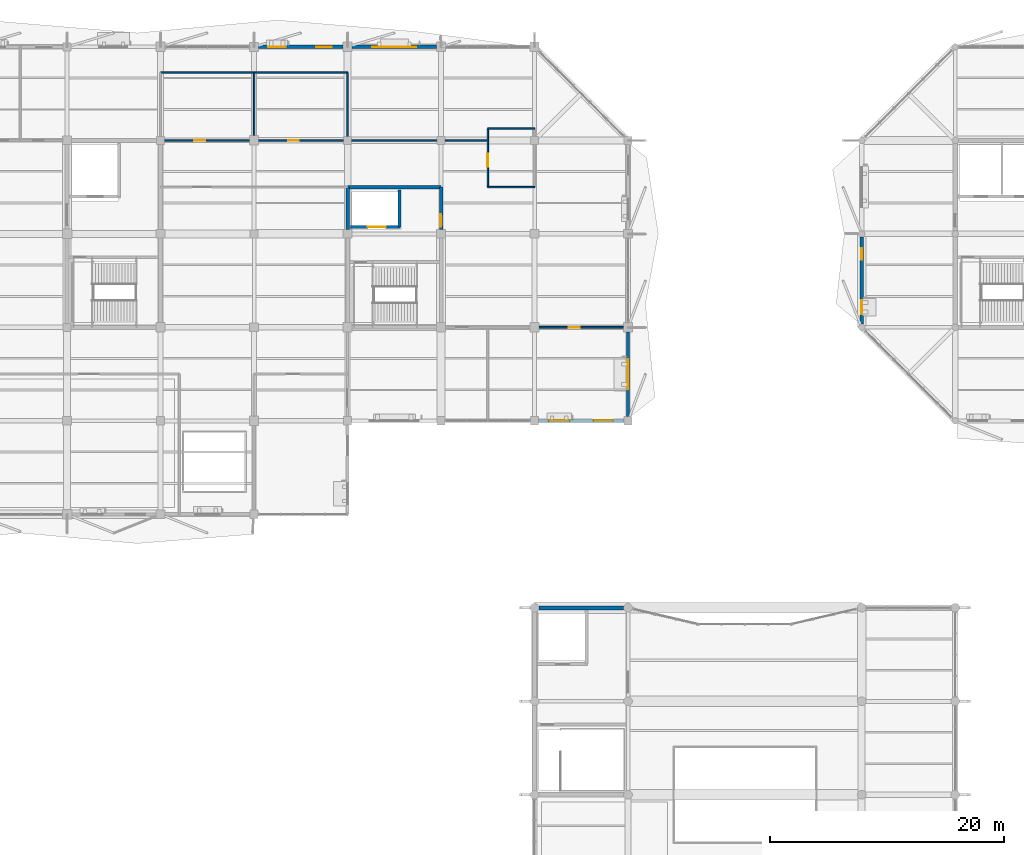
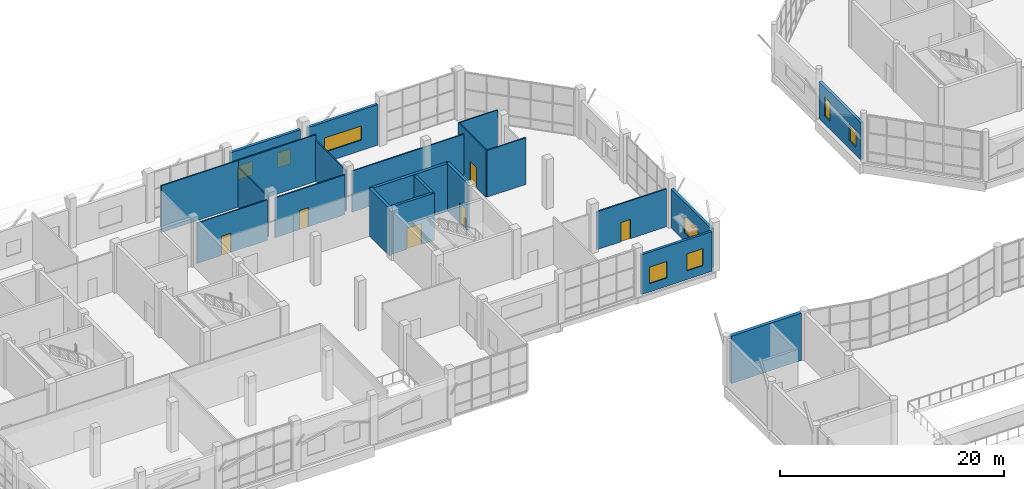
# One storey, part 108 of 122: 22 walls, 8 windows, 6 doors, 14 openings.
"""IFC4 building model written with IfcOpenShell, lengths in metres."""

from ifc_helpers import new_model, si_unit, direction, frame, frame_2d, origin, place, context, subcontext, project, spatial, rectangle, extrude, material, layer, layer_set, type_object, element, fill, save


model = new_model("IFC4")

# Units and contexts
model_context = context("Model", 3, precision=1e-05, world=origin(), true_north=direction((0.0, 1.0)))
body_context = subcontext(model_context, "Body", "Model", "MODEL_VIEW")
ifc_project = project(units=[si_unit("LENGTHUNIT", "METRE"), si_unit("AREAUNIT", "SQUARE_METRE"), si_unit("VOLUMEUNIT", "CUBIC_METRE"), si_unit("PLANEANGLEUNIT", "RADIAN"), si_unit("MASSUNIT", "GRAM", prefix="KILO")], contexts=[model_context])

# Site, building, storey
site_placement = place(None, origin())
site = spatial("IfcSite", under=ifc_project, at=site_placement, CompositionType="ELEMENT")
building_placement = place(site_placement, origin())
building = spatial("IfcBuilding", under=site, at=building_placement, Name="Tenunan Teduh Sports Hall", CompositionType="ELEMENT")
storey_placement = place(building_placement, frame((0.0, 0.0, 5.39990234375)))
storey = spatial("IfcBuildingStorey", under=building, at=storey_placement, Name="L01", CompositionType="ELEMENT", Elevation=5.39990234375)

# Wall, opening, door
ifc_material_1 = material(Name="Concrete C40/50", Category="concrete")
ifc_layer_1 = layer(ifc_material_1, 0.25)
ifc_layer_set_1 = layer_set([ifc_layer_1], Name="Concrete C40/50")
wall_type_1 = type_object("IfcWallType", Name="WL-COR-250", PredefinedType="SOLIDWALL", material=ifc_layer_set_1)
wall_1_placement = place(storey_placement, frame((54.25, 102.60009765625, 0.0), z_axis=(0.0, 0.0, 1.0), x_axis=(1.0, 0.0, 0.0)))
wall_1 = element("IfcWall", 1, at=wall_1_placement, inside=storey, type_object=wall_type_1, Name="WL-COR-L01-134", PredefinedType="SOLIDWALL", context=body_context, shape_type="SweptSolid", body=[
    extrude(rectangle(XDim=4.300048828125, YDim=0.25, at=frame_2d((2.14990234375, 0.0))), origin(), (0.0, 0.0, 1.0), 5.18017578125),
])
opening_1_placement = place(wall_1_placement, frame((1.5, 0.0, 0.0)))
opening_1 = element("IfcOpeningElement", 2, at=opening_1_placement, cuts=wall_1, Name="Opening LD-3", PredefinedType="OPENING", context=body_context, shape_type="SweptSolid", body=[
    extrude(rectangle(XDim=1.5, YDim=2.300048828125, at=frame_2d((0.75, 1.14990234375))), frame((0.0, 0.135009765625, 0.0), z_axis=(0.0, -1.0, 0.0), x_axis=(1.0, 0.0, 0.0)), (0.0, 0.0, 1.0), 0.27001953125),
])
ifc_material_2 = material(Name="Goods lift stainless landing doors")
door_type_1 = type_object("IfcDoorType", Name="LDR-03", OperationType="DOUBLE_DOOR_SLIDING", PredefinedType="DOOR", material=ifc_material_2)
door_1_placement = place(opening_1_placement, origin())
door_1 = element("IfcDoor", 3, at=door_1_placement, inside=storey, type_object=door_type_1, Name="Lift Landing Door LD-21", OperationType="DOUBLE_DOOR_SLIDING", OverallHeight=2.300048828125, OverallWidth=1.5, PredefinedType="DOOR", context=body_context, shape_type="SweptSolid", body=[
    extrude(rectangle(XDim=1.5, YDim=2.300048828125, at=frame_2d((0.75, 1.14990234375))), frame((0.0, 0.02490234375, 0.0), z_axis=(0.0, -1.0, 0.0), x_axis=(1.0, 0.0, 0.0)), (0.0, 0.0, 1.0), 0.050048828125),
])
fill(opening_1, door_1)

# Wall
wall_2_placement = place(storey_placement, frame((58.449951171875, 102.60009765625, 0.0), z_axis=(0.0, 0.0, 1.0), x_axis=(0.0, 1.0, 0.0)))
element("IfcWall", 4, at=wall_2_placement, inside=storey, type_object=wall_type_1, Name="WL-COR-L01-135", PredefinedType="SOLIDWALL", context=body_context, shape_type="SweptSolid", body=[
    extrude(rectangle(XDim=3.14990234375, YDim=0.25, at=frame_2d((1.574951171875, 0.0))), origin(), (0.0, 0.0, 1.0), 5.18017578125),
])

# Wall, openings, windows
ifc_material_3 = material(Name="Precast concrete C40/50", Category="concrete")
ifc_layer_2 = layer(ifc_material_3, 0.25)
ifc_layer_set_2 = layer_set([ifc_layer_2], Name="Precast concrete C40/50")
wall_type_2 = type_object("IfcWallType", Name="WL-EXT-250", PredefinedType="SOLIDWALL", material=ifc_layer_set_2)
wall_3_placement = place(storey_placement, frame((70.35009765625, 86.0, 0.0), z_axis=(0.0, 0.0, 1.0), x_axis=(1.0, 0.0, 0.0)))
wall_3 = element("IfcWall", 5, at=wall_3_placement, inside=storey, type_object=wall_type_2, Name="WL-EXT-L01-168", PredefinedType="SOLIDWALL", context=body_context, shape_type="SweptSolid", body=[
    extrude(rectangle(XDim=7.2998046875, YDim=0.25, at=frame_2d((3.64990234375, 0.0))), origin(), (0.0, 0.0, 1.0), 4.340087890625),
])
opening_2_placement = place(wall_3_placement, frame((0.85009765625, 0.0, 0.89990234375)))
opening_2 = element("IfcOpeningElement", 6, at=opening_2_placement, cuts=wall_3, Name="Opening W-02", PredefinedType="OPENING", context=body_context, shape_type="SweptSolid", body=[
    extrude(rectangle(XDim=1.800048828125, YDim=1.800048828125, at=frame_2d((0.89990234375, 0.89990234375))), frame((0.0, 0.135009765625, 0.0), z_axis=(0.0, -1.0, 0.0), x_axis=(1.0, 0.0, 0.0)), (0.0, 0.0, 1.0), 0.27001953125),
])
opening_3_placement = place(wall_3_placement, frame((4.699951171875, 0.0, 0.949951171875)))
opening_3 = element("IfcOpeningElement", 7, at=opening_3_placement, cuts=wall_3, Name="Opening W-19", PredefinedType="OPENING", context=body_context, shape_type="SweptSolid", body=[
    extrude(rectangle(XDim=1.64990234375, YDim=1.85009765625, at=frame_2d((0.824951171875, 0.925048828125))), frame((0.0, 0.135009765625, 0.0), z_axis=(0.0, -1.0, 0.0), x_axis=(1.0, 0.0, 0.0)), (0.0, 0.0, 1.0), 0.27001953125),
])
ifc_material_4 = material(Name="Thermally broken aluminium and Low-E glazing", Category="aluminium")
window_type_1 = type_object("IfcWindowType", Name="WIN-02", PartitioningType="DOUBLE_PANEL_VERTICAL", PredefinedType="WINDOW", material=ifc_material_4)
window_1_placement = place(opening_2_placement, origin())
window_1 = element("IfcWindow", 8, at=window_1_placement, inside=storey, type_object=window_type_1, Name="WIN-L01-052", OverallHeight=1.800048828125, OverallWidth=1.800048828125, PartitioningType="SINGLE_PANEL", PredefinedType="WINDOW", context=body_context, shape_type="SweptSolid", body=[
    extrude(rectangle(XDim=1.800048828125, YDim=1.800048828125, at=frame_2d((0.89990234375, 0.89990234375))), frame((0.0, 0.030029296875, 0.0), z_axis=(0.0, -1.0, 0.0), x_axis=(1.0, 0.0, 0.0)), (0.0, 0.0, 1.0), 0.06005859375),
])
fill(opening_2, window_1)
ifc_material_5 = material(Name="Thermally broken aluminium and Low-E glazing", Category="aluminium")
window_type_2 = type_object("IfcWindowType", Name="WIN-19", PartitioningType="DOUBLE_PANEL_VERTICAL", PredefinedType="WINDOW", material=ifc_material_5)
window_2_placement = place(opening_3_placement, origin())
window_2 = element("IfcWindow", 9, at=window_2_placement, inside=storey, type_object=window_type_2, Name="WIN-L01-053", OverallHeight=1.85009765625, OverallWidth=1.64990234375, PartitioningType="SINGLE_PANEL", PredefinedType="WINDOW", context=body_context, shape_type="SweptSolid", body=[
    extrude(rectangle(XDim=1.64990234375, YDim=1.85009765625, at=frame_2d((0.824951171875, 0.925048828125))), frame((0.0, 0.030029296875, 0.0), z_axis=(0.0, -1.0, 0.0), x_axis=(1.0, 0.0, 0.0)), (0.0, 0.0, 1.0), 0.06005859375),
])
fill(opening_3, window_2)

# Wall, opening, window
ifc_material_6 = material(Name="Concrete C40/50", Category="concrete")
ifc_layer_3 = layer(ifc_material_6, 0.280029296875)
ifc_layer_set_3 = layer_set([ifc_layer_3], Name="Concrete C40/50")
wall_type_3 = type_object("IfcWallType", Name="WL-EXT-280", PredefinedType="SOLIDWALL", material=ifc_layer_set_3)
wall_4_placement = place(storey_placement, frame((78.0, 86.35009765625, 0.0), z_axis=(0.0, 0.0, 1.0), x_axis=(0.0, 1.0, 0.0)))
wall_4 = element("IfcWall", 10, at=wall_4_placement, inside=storey, type_object=wall_type_3, Name="WL-EXT-L01-169", PredefinedType="SOLIDWALL", context=body_context, shape_type="SweptSolid", body=[
    extrude(rectangle(XDim=7.25, YDim=0.280029296875, at=frame_2d((3.625, 0.0))), origin(), (0.0, 0.0, 1.0), 4.239990234375),
])
opening_4_placement = place(wall_4_placement, frame((2.35009765625, 0.0, 0.949951171875)))
opening_4 = element("IfcOpeningElement", 11, at=opening_4_placement, cuts=wall_4, Name="Opening W-22", PredefinedType="OPENING", context=body_context, shape_type="SweptSolid", body=[
    extrude(rectangle(XDim=2.550048828125, YDim=1.85009765625, at=frame_2d((1.27490234375, 0.925048828125))), frame((0.0, 0.14990234375, 0.0), z_axis=(0.0, -1.0, 0.0), x_axis=(1.0, 0.0, 0.0)), (0.0, 0.0, 1.0), 0.300048828125),
])
ifc_material_7 = material(Name="Thermally broken aluminium and Low-E glazing", Category="aluminium")
window_type_3 = type_object("IfcWindowType", Name="WIN-22", PartitioningType="TRIPLE_PANEL_VERTICAL", PredefinedType="WINDOW", material=ifc_material_7)
window_3_placement = place(opening_4_placement, origin())
window_3 = element("IfcWindow", 12, at=window_3_placement, inside=storey, type_object=window_type_3, Name="WIN-L01-054", OverallHeight=1.85009765625, OverallWidth=2.550048828125, PartitioningType="SINGLE_PANEL", PredefinedType="WINDOW", context=body_context, shape_type="SweptSolid", body=[
    extrude(rectangle(XDim=2.550048828125, YDim=1.85009765625, at=frame_2d((1.27490234375, 0.925048828125))), frame((0.0, 0.030029296875, 0.0), z_axis=(0.0, -1.0, 0.0), x_axis=(1.0, 0.0, 0.0)), (0.0, 0.0, 1.0), 0.06005859375),
])
fill(opening_4, window_3)

wall_5_placement = place(storey_placement, frame((54.39990234375, 118.0, 0.0), z_axis=(0.0, 0.0, 1.0), x_axis=(1.0, 0.0, 0.0)))
wall_5 = element("IfcWall", 13, at=wall_5_placement, inside=storey, type_object=wall_type_3, Name="WL-EXT-L01-174", PredefinedType="SOLIDWALL", context=body_context, shape_type="SweptSolid", body=[
    extrude(rectangle(XDim=7.2001953125, YDim=0.280029296875, at=frame_2d((3.60009765625, 0.0))), origin(), (0.0, 0.0, 1.0), 4.440185546875),
])
opening_5_placement = place(wall_5_placement, frame((1.699951171875, 0.0, 1.14990234375)))
opening_5 = element("IfcOpeningElement", 14, at=opening_5_placement, cuts=wall_5, Name="Opening W-24", PredefinedType="OPENING", context=body_context, shape_type="SweptSolid", body=[
    extrude(rectangle(XDim=3.800048828125, YDim=1.550048828125, at=frame_2d((1.89990234375, 0.77490234375))), frame((0.0, 0.14990234375, 0.0), z_axis=(0.0, -1.0, 0.0), x_axis=(1.0, 0.0, 0.0)), (0.0, 0.0, 1.0), 0.300048828125),
])
ifc_material_8 = material(Name="Thermally broken aluminium and Low-E glazing", Category="aluminium")
window_type_4 = type_object("IfcWindowType", Name="WIN-24", PartitioningType="TRIPLE_PANEL_HORIZONTAL", PredefinedType="WINDOW", material=ifc_material_8)
window_4_placement = place(opening_5_placement, origin())
window_4 = element("IfcWindow", 15, at=window_4_placement, inside=storey, type_object=window_type_4, Name="WIN-L01-062", OverallHeight=1.550048828125, OverallWidth=3.800048828125, PartitioningType="SINGLE_PANEL", PredefinedType="WINDOW", context=body_context, shape_type="SweptSolid", body=[
    extrude(rectangle(XDim=3.800048828125, YDim=1.550048828125, at=frame_2d((1.89990234375, 0.77490234375))), frame((0.0, 0.030029296875, 0.0), z_axis=(0.0, -1.0, 0.0), x_axis=(1.0, 0.0, 0.0)), (0.0, 0.0, 1.0), 0.06005859375),
])
fill(opening_5, window_4)

# Wall, openings, windows
ifc_material_9 = material(Name="Concrete C40/50", Category="concrete")
ifc_layer_4 = layer(ifc_material_9, 0.2900390625)
ifc_layer_set_4 = layer_set([ifc_layer_4], Name="Concrete C40/50")
wall_type_4 = type_object("IfcWallType", Name="WL-EXT-290", PredefinedType="SOLIDWALL", material=ifc_layer_set_4)
wall_6_placement = place(storey_placement, frame((46.375, 118.0, 0.0), z_axis=(0.0, 0.0, 1.0), x_axis=(1.0, 0.0, 0.0)))
wall_6 = element("IfcWall", 16, at=wall_6_placement, inside=storey, type_object=wall_type_4, Name="WL-EXT-L01-173", PredefinedType="SOLIDWALL", context=body_context, shape_type="SweptSolid", body=[
    extrude(rectangle(XDim=7.22509765625, YDim=0.2900390625, at=frame_2d((3.612548828125, 0.0))), origin(), (0.0, 0.0, 1.0), 4.489990234375),
])
opening_6_placement = place(wall_6_placement, frame((0.85009765625, 0.0, 1.199951171875)))
opening_6 = element("IfcOpeningElement", 17, at=opening_6_placement, cuts=wall_6, Name="Opening W-09", PredefinedType="OPENING", context=body_context, shape_type="SweptSolid", body=[
    extrude(rectangle(XDim=1.5, YDim=1.5, at=frame_2d((0.75, 0.75))), frame((0.0, 0.155029296875, 0.0), z_axis=(0.0, -1.0, 0.0), x_axis=(1.0, 0.0, 0.0)), (0.0, 0.0, 1.0), 0.31005859375),
])
opening_7_placement = place(wall_6_placement, frame((4.929931640625, 0.0, 1.050048828125)))
opening_7 = element("IfcOpeningElement", 18, at=opening_7_placement, cuts=wall_6, Name="Opening W-18", PredefinedType="OPENING", context=body_context, shape_type="SweptSolid", body=[
    extrude(rectangle(XDim=1.35009765625, YDim=1.64990234375, at=frame_2d((0.675048828125, 0.824951171875))), frame((0.0, 0.155029296875, 0.0), z_axis=(0.0, -1.0, 0.0), x_axis=(1.0, 0.0, 0.0)), (0.0, 0.0, 1.0), 0.31005859375),
])
ifc_material_10 = material(Name="Thermally broken aluminium and Low-E glazing", Category="aluminium")
window_type_5 = type_object("IfcWindowType", Name="WIN-09", PartitioningType="DOUBLE_PANEL_VERTICAL", PredefinedType="WINDOW", material=ifc_material_10)
window_5_placement = place(opening_6_placement, origin())
window_5 = element("IfcWindow", 19, at=window_5_placement, inside=storey, type_object=window_type_5, Name="WIN-L01-060", OverallHeight=1.5, OverallWidth=1.5, PartitioningType="SINGLE_PANEL", PredefinedType="WINDOW", context=body_context, shape_type="SweptSolid", body=[
    extrude(rectangle(XDim=1.5, YDim=1.5, at=frame_2d((0.75, 0.75))), frame((0.0, 0.030029296875, 0.0), z_axis=(0.0, -1.0, 0.0), x_axis=(1.0, 0.0, 0.0)), (0.0, 0.0, 1.0), 0.06005859375),
])
fill(opening_6, window_5)
ifc_material_11 = material(Name="Thermally broken aluminium and Low-E glazing", Category="aluminium")
window_type_6 = type_object("IfcWindowType", Name="WIN-18", PartitioningType="DOUBLE_PANEL_VERTICAL", PredefinedType="WINDOW", material=ifc_material_11)
window_6_placement = place(opening_7_placement, origin())
window_6 = element("IfcWindow", 20, at=window_6_placement, inside=storey, type_object=window_type_6, Name="WIN-L01-061", OverallHeight=1.64990234375, OverallWidth=1.35009765625, PartitioningType="SINGLE_PANEL", PredefinedType="WINDOW", context=body_context, shape_type="SweptSolid", body=[
    extrude(rectangle(XDim=1.35009765625, YDim=1.64990234375, at=frame_2d((0.675048828125, 0.824951171875))), frame((0.0, 0.030029296875, 0.0), z_axis=(0.0, -1.0, 0.0), x_axis=(1.0, 0.0, 0.0)), (0.0, 0.0, 1.0), 0.06005859375),
])
fill(opening_7, window_6)

wall_7_placement = place(storey_placement, frame((98.0, 94.27490234375, 0.0), z_axis=(0.0, 0.0, 1.0), x_axis=(0.0, 1.0, 0.0)))
wall_7 = element("IfcWall", 21, at=wall_7_placement, inside=storey, type_object=wall_type_4, Name="WL-EXT-L01-236", PredefinedType="SOLIDWALL", context=body_context, shape_type="SweptSolid", body=[
    extrude(rectangle(XDim=7.4501953125, YDim=0.2900390625, at=frame_2d((3.72509765625, 0.0))), origin(), (0.0, 0.0, 1.0), 4.0400390625),
])
opening_8_placement = place(wall_7_placement, frame((0.85009765625, 0.0, 0.89990234375)))
opening_8 = element("IfcOpeningElement", 22, at=opening_8_placement, cuts=wall_7, Name="Opening W-01", PredefinedType="OPENING", context=body_context, shape_type="SweptSolid", body=[
    extrude(rectangle(XDim=1.199951171875, YDim=1.800048828125, at=frame_2d((0.60009765625, 0.89990234375))), frame((0.0, 0.155029296875, 0.0), z_axis=(0.0, -1.0, 0.0), x_axis=(1.0, 0.0, 0.0)), (0.0, 0.0, 1.0), 0.31005859375),
])
opening_9_placement = place(wall_7_placement, frame((5.5, 0.0, 0.89990234375)))
opening_9 = element("IfcOpeningElement", 23, at=opening_9_placement, cuts=wall_7, Name="Opening W-13", PredefinedType="OPENING", context=body_context, shape_type="SweptSolid", body=[
    extrude(rectangle(XDim=1.0, YDim=2.10009765625, at=frame_2d((0.5, 1.050048828125))), frame((0.0, 0.155029296875, 0.0), z_axis=(0.0, -1.0, 0.0), x_axis=(1.0, 0.0, 0.0)), (0.0, 0.0, 1.0), 0.31005859375),
])
ifc_material_12 = material(Name="Thermally broken aluminium and Low-E glazing", Category="aluminium")
window_type_7 = type_object("IfcWindowType", Name="WIN-01", PartitioningType="SINGLE_PANEL", PredefinedType="WINDOW", material=ifc_material_12)
window_7_placement = place(opening_8_placement, origin())
window_7 = element("IfcWindow", 24, at=window_7_placement, inside=storey, type_object=window_type_7, Name="WIN-L01-146", OverallHeight=1.800048828125, OverallWidth=1.199951171875, PartitioningType="SINGLE_PANEL", PredefinedType="WINDOW", context=body_context, shape_type="SweptSolid", body=[
    extrude(rectangle(XDim=1.199951171875, YDim=1.800048828125, at=frame_2d((0.60009765625, 0.89990234375))), frame((0.0, 0.030029296875, 0.0), z_axis=(0.0, -1.0, 0.0), x_axis=(1.0, 0.0, 0.0)), (0.0, 0.0, 1.0), 0.06005859375),
])
fill(opening_8, window_7)
ifc_material_13 = material(Name="Thermally broken aluminium and Low-E glazing", Category="aluminium")
window_type_8 = type_object("IfcWindowType", Name="WIN-13", PartitioningType="SINGLE_PANEL", PredefinedType="WINDOW", material=ifc_material_13)
window_8_placement = place(opening_9_placement, origin())
window_8 = element("IfcWindow", 25, at=window_8_placement, inside=storey, type_object=window_type_8, Name="WIN-L01-147", OverallHeight=2.10009765625, OverallWidth=1.0, PartitioningType="SINGLE_PANEL", PredefinedType="WINDOW", context=body_context, shape_type="SweptSolid", body=[
    extrude(rectangle(XDim=1.0, YDim=2.10009765625, at=frame_2d((0.5, 1.050048828125))), frame((0.0, 0.030029296875, 0.0), z_axis=(0.0, -1.0, 0.0), x_axis=(1.0, 0.0, 0.0)), (0.0, 0.0, 1.0), 0.06005859375),
])
fill(opening_9, window_8)

# Wall, opening, door
ifc_material_14 = material(Name="Moisture-resistant masonry", Category="masonry")
ifc_layer_5 = layer(ifc_material_14, 0.125)
ifc_layer_set_5 = layer_set([ifc_layer_5], Name="Moisture-resistant masonry")
wall_type_5 = type_object("IfcWallType", Name="WL-PRT-125", PredefinedType="PARTITIONING", material=ifc_layer_set_5)
wall_8_placement = place(storey_placement, frame((38.35009765625, 110.0, 0.0), z_axis=(0.0, 0.0, 1.0), x_axis=(1.0, 0.0, 0.0)))
wall_8 = element("IfcWall", 26, at=wall_8_placement, inside=storey, type_object=wall_type_5, Name="WL-PRT-L01-376", PredefinedType="PARTITIONING", context=body_context, shape_type="SweptSolid", body=[
    extrude(rectangle(XDim=7.25, YDim=0.125, at=frame_2d((3.625, 0.0))), origin(), (0.0, 0.0, 1.0), 4.420166015625),
])
opening_10_placement = place(wall_8_placement, frame((2.5400390625, 0.0, 0.0)))
opening_10 = element("IfcOpeningElement", 27, at=opening_10_placement, cuts=wall_8, Name="Opening ID-01", PredefinedType="OPENING", context=body_context, shape_type="SweptSolid", body=[
    extrude(rectangle(XDim=0.949951171875, YDim=2.10009765625, at=frame_2d((0.47509765625, 1.050048828125))), frame((0.0, 0.072509765625, 0.0), z_axis=(0.0, -1.0, 0.0), x_axis=(1.0, 0.0, 0.0)), (0.0, 0.0, 1.0), 0.14501953125),
])
ifc_material_15 = material(Name="Solid-core laminate timber", Category="wood")
door_type_2 = type_object("IfcDoorType", Name="IDR-01", OperationType="SINGLE_SWING_LEFT", PredefinedType="DOOR", material=ifc_material_15)
door_2_placement = place(opening_10_placement, frame((0.949951171875, 0.0, 0.0), z_axis=(0.0, 0.0, 1.0), x_axis=(-1.0, 0.0, 0.0)))
door_2 = element("IfcDoor", 28, at=door_2_placement, inside=storey, type_object=door_type_2, Name="DR-INT-L01-143", OperationType="SINGLE_SWING_RIGHT", OverallHeight=2.10009765625, OverallWidth=0.949951171875, PredefinedType="DOOR", context=body_context, shape_type="SweptSolid", body=[
    extrude(rectangle(XDim=0.949951171875, YDim=2.10009765625, at=frame_2d((0.47509765625, 1.050048828125))), frame((0.0, 0.02490234375, 0.0), z_axis=(0.0, -1.0, 0.0), x_axis=(1.0, 0.0, 0.0)), (0.0, 0.0, 1.0), 0.050048828125),
])
fill(opening_10, door_2)

wall_9_placement = place(storey_placement, frame((46.39990234375, 110.0, 0.0), z_axis=(0.0, 0.0, 1.0), x_axis=(1.0, 0.0, 0.0)))
wall_9 = element("IfcWall", 29, at=wall_9_placement, inside=storey, type_object=wall_type_5, Name="WL-PRT-L01-377", PredefinedType="PARTITIONING", context=body_context, shape_type="SweptSolid", body=[
    extrude(rectangle(XDim=7.25, YDim=0.125, at=frame_2d((3.625, 0.0))), origin(), (0.0, 0.0, 1.0), 4.360107421875),
])
opening_11_placement = place(wall_9_placement, frame((2.5400390625, 0.0, 0.0)))
opening_11 = element("IfcOpeningElement", 30, at=opening_11_placement, cuts=wall_9, Name="Opening ID-02", PredefinedType="OPENING", context=body_context, shape_type="SweptSolid", body=[
    extrude(rectangle(XDim=0.89990234375, YDim=2.10009765625, at=frame_2d((0.449951171875, 1.050048828125))), frame((0.0, 0.072509765625, 0.0), z_axis=(0.0, -1.0, 0.0), x_axis=(1.0, 0.0, 0.0)), (0.0, 0.0, 1.0), 0.14501953125),
])
ifc_material_16 = material(Name="Moisture-resistant HPL leaf")
door_type_3 = type_object("IfcDoorType", Name="IDR-02", OperationType="SINGLE_SWING_RIGHT", PredefinedType="DOOR", material=ifc_material_16)
door_3_placement = place(opening_11_placement, frame((0.89990234375, 0.0, 0.0), z_axis=(0.0, 0.0, 1.0), x_axis=(-1.0, 0.0, 0.0)))
door_3 = element("IfcDoor", 31, at=door_3_placement, inside=storey, type_object=door_type_3, Name="DR-INT-L01-144", OperationType="SINGLE_SWING_RIGHT", OverallHeight=2.10009765625, OverallWidth=0.89990234375, PredefinedType="DOOR", context=body_context, shape_type="SweptSolid", body=[
    extrude(rectangle(XDim=0.89990234375, YDim=2.10009765625, at=frame_2d((0.449951171875, 1.050048828125))), frame((0.0, 0.02490234375, 0.0), z_axis=(0.0, -1.0, 0.0), x_axis=(1.0, 0.0, 0.0)), (0.0, 0.0, 1.0), 0.050048828125),
])
fill(opening_11, door_3)

# Walls
wall_10_placement = place(storey_placement, frame((54.35009765625, 110.0, 0.0), z_axis=(0.0, 0.0, 1.0), x_axis=(1.0, 0.0, 0.0)))
element("IfcWall", 32, at=wall_10_placement, inside=storey, type_object=wall_type_5, Name="WL-PRT-L01-378", PredefinedType="PARTITIONING", context=body_context, shape_type="SweptSolid", body=[
    extrude(rectangle(XDim=11.64990234375, YDim=0.125, at=frame_2d((5.824951171875, 0.0))), origin(), (0.0, 0.0, 1.0), 4.489990234375),
])
for number, where, z_axis, x_axis, name in (
    (33, (38.0, 115.800048828125, 0.0), (0.0, 0.0, 1.0), (1.0, 0.0, 0.0), "WL-PRT-L01-379"),
    (34, (46.0, 115.800048828125, 0.0), (0.0, 0.0, 1.0), (1.0, 0.0, 0.0), "WL-PRT-L01-380"),
):
    element("IfcWall", number, at=place(storey_placement, frame(where, z_axis=z_axis, x_axis=x_axis)), inside=storey, type_object=wall_type_5, Name=name, PredefinedType="PARTITIONING", context=body_context, shape_type="SweptSolid", body=[
        extrude(rectangle(XDim=8.0, YDim=0.125, at=frame_2d((4.0, 0.0))), origin(), (0.0, 0.0, 1.0), 5.10009765625),
    ])
wall_11_placement = place(storey_placement, frame((46.0, 110.39990234375, 0.0), z_axis=(0.0, 0.0, 1.0), x_axis=(0.0, 1.0, 0.0)))
element("IfcWall", 35, at=wall_11_placement, inside=storey, type_object=wall_type_5, Name="WL-PRT-L01-381", PredefinedType="PARTITIONING", context=body_context, shape_type="SweptSolid", body=[
    extrude(rectangle(XDim=5.400146484375, YDim=0.125, at=frame_2d((2.7001953125, 0.0))), origin(), (0.0, 0.0, 1.0), 4.340087890625),
])
wall_12_placement = place(storey_placement, frame((54.0, 110.35009765625, 0.0), z_axis=(0.0, 0.0, 1.0), x_axis=(0.0, 1.0, 0.0)))
element("IfcWall", 36, at=wall_12_placement, inside=storey, type_object=wall_type_5, Name="WL-PRT-L01-382", PredefinedType="PARTITIONING", context=body_context, shape_type="SweptSolid", body=[
    extrude(rectangle(XDim=5.449951171875, YDim=0.125, at=frame_2d((2.72509765625, 0.0))), origin(), (0.0, 0.0, 1.0), 4.489990234375),
])

# Wall, opening, door
wall_13_placement = place(storey_placement, frame((66.0, 106.0, 0.0), z_axis=(0.0, 0.0, 1.0), x_axis=(0.0, 1.0, 0.0)))
wall_13 = element("IfcWall", 37, at=wall_13_placement, inside=storey, type_object=wall_type_5, Name="WL-PRT-L01-383", PredefinedType="PARTITIONING", context=body_context, shape_type="SweptSolid", body=[
    extrude(rectangle(XDim=5.0, YDim=0.125, at=frame_2d((2.5, 0.0))), origin(), (0.0, 0.0, 1.0), 5.10009765625),
])
opening_12_placement = place(wall_13_placement, frame((1.75, 0.0, 0.0)))
opening_12 = element("IfcOpeningElement", 38, at=opening_12_placement, cuts=wall_13, Name="Opening ID-06", PredefinedType="OPENING", context=body_context, shape_type="SweptSolid", body=[
    extrude(rectangle(XDim=1.10009765625, YDim=2.14990234375, at=frame_2d((0.550048828125, 1.074951171875))), frame((0.0, 0.072509765625, 0.0), z_axis=(0.0, -1.0, 0.0), x_axis=(1.0, 0.0, 0.0)), (0.0, 0.0, 1.0), 0.14501953125),
])
ifc_material_17 = material(Name="Accessible pocket sliding leaf")
door_type_4 = type_object("IfcDoorType", Name="IDR-06", OperationType="SLIDING_TO_RIGHT", PredefinedType="DOOR", material=ifc_material_17)
door_4_placement = place(opening_12_placement, frame((1.10009765625, 0.0, 0.0), z_axis=(0.0, 0.0, 1.0), x_axis=(-1.0, 0.0, 0.0)))
door_4 = element("IfcDoor", 39, at=door_4_placement, inside=storey, type_object=door_type_4, Name="DR-INT-L01-145", OperationType="SLIDING_TO_RIGHT", OverallHeight=2.14990234375, OverallWidth=1.10009765625, PredefinedType="DOOR", context=body_context, shape_type="SweptSolid", body=[
    extrude(rectangle(XDim=1.10009765625, YDim=2.14990234375, at=frame_2d((0.550048828125, 1.074951171875))), frame((0.0, 0.02490234375, 0.0), z_axis=(0.0, -1.0, 0.0), x_axis=(1.0, 0.0, 0.0)), (0.0, 0.0, 1.0), 0.050048828125),
])
fill(opening_12, door_4)

# Walls
for number, where, z_axis, x_axis, name in (
    (40, (66.0, 111.0, 0.0), (0.0, 0.0, 1.0), (1.0, 0.0, 0.0), "WL-PRT-L01-385"),
    (41, (66.0, 106.0, 0.0), (0.0, 0.0, 1.0), (1.0, 0.0, 0.0), "WL-PRT-L01-386"),
):
    element("IfcWall", number, at=place(storey_placement, frame(where, z_axis=z_axis, x_axis=x_axis)), inside=storey, type_object=wall_type_5, Name=name, PredefinedType="PARTITIONING", context=body_context, shape_type="SweptSolid", body=[
        extrude(rectangle(XDim=4.0, YDim=0.125, at=frame_2d((2.0, 0.0))), origin(), (0.0, 0.0, 1.0), 5.10009765625),
    ])

# Wall, opening, door
ifc_material_18 = material(Name="Acoustic stud and double plasterboard")
ifc_layer_6 = layer(ifc_material_18, 0.14990234375)
ifc_layer_set_6 = layer_set([ifc_layer_6], Name="Acoustic stud and double plasterboard")
wall_type_6 = type_object("IfcWallType", Name="WL-PRT-150", PredefinedType="PARTITIONING", material=ifc_layer_set_6)
wall_14_placement = place(storey_placement, frame((70.39990234375, 94.0, 0.0), z_axis=(0.0, 0.0, 1.0), x_axis=(1.0, 0.0, 0.0)))
wall_14 = element("IfcWall", 42, at=wall_14_placement, inside=storey, type_object=wall_type_6, Name="WL-PRT-L01-390", PredefinedType="PARTITIONING", context=body_context, shape_type="SweptSolid", body=[
    extrude(rectangle(XDim=7.2001953125, YDim=0.14990234375, at=frame_2d((3.60009765625, 0.0))), origin(), (0.0, 0.0, 1.0), 4.14013671875),
])
opening_13_placement = place(wall_14_placement, frame((2.52001953125, 0.0, 0.0)))
opening_13 = element("IfcOpeningElement", 43, at=opening_13_placement, cuts=wall_14, Name="Opening ID-01", PredefinedType="OPENING", context=body_context, shape_type="SweptSolid", body=[
    extrude(rectangle(XDim=0.949951171875, YDim=2.10009765625, at=frame_2d((0.47509765625, 1.050048828125))), frame((0.0, 0.0849609375, 0.0), z_axis=(0.0, -1.0, 0.0), x_axis=(1.0, 0.0, 0.0)), (0.0, 0.0, 1.0), 0.169921875),
])
door_5_placement = place(opening_13_placement, origin())
door_5 = element("IfcDoor", 44, at=door_5_placement, inside=storey, type_object=door_type_2, Name="DR-INT-L01-148", OperationType="SINGLE_SWING_LEFT", OverallHeight=2.10009765625, OverallWidth=0.949951171875, PredefinedType="DOOR", context=body_context, shape_type="SweptSolid", body=[
    extrude(rectangle(XDim=0.949951171875, YDim=2.10009765625, at=frame_2d((0.47509765625, 1.050048828125))), frame((0.0, 0.02490234375, 0.0), z_axis=(0.0, -1.0, 0.0), x_axis=(1.0, 0.0, 0.0)), (0.0, 0.0, 1.0), 0.050048828125),
])
fill(opening_13, door_5)

# Walls
ifc_material_19 = material(Name="Concrete C40/50", Category="concrete")
ifc_layer_7 = layer(ifc_material_19, 0.300048828125)
ifc_layer_set_7 = layer_set([ifc_layer_7], Name="Concrete C40/50")
wall_type_7 = type_object("IfcWallType", Name="WL-SHR-300", PredefinedType="SHEAR", material=ifc_layer_set_7)
wall_15_placement = place(storey_placement, frame((54.0, 106.0, 0.0), z_axis=(0.0, 0.0, 1.0), x_axis=(1.0, 0.0, 0.0)))
element("IfcWall", 45, at=wall_15_placement, inside=storey, type_object=wall_type_7, Name="WL-COR-L01-128", PredefinedType="SHEAR", context=body_context, shape_type="SweptSolid", body=[
    extrude(rectangle(XDim=8.0, YDim=0.300048828125, at=frame_2d((4.0, 0.0))), origin(), (0.0, 0.0, 1.0), 5.18017578125),
])
wall_16_placement = place(storey_placement, frame((54.0, 102.375, 0.0), z_axis=(0.0, 0.0, 1.0), x_axis=(0.0, 1.0, 0.0)))
element("IfcWall", 46, at=wall_16_placement, inside=storey, type_object=wall_type_7, Name="WL-COR-L01-130", PredefinedType="SHEAR", context=body_context, shape_type="SweptSolid", body=[
    extrude(rectangle(XDim=3.625, YDim=0.300048828125, at=frame_2d((1.8125, 0.0))), origin(), (0.0, 0.0, 1.0), 5.18017578125),
])

# Wall, opening, door
wall_17_placement = place(storey_placement, frame((62.0, 102.375, 0.0), z_axis=(0.0, 0.0, 1.0), x_axis=(0.0, 1.0, 0.0)))
wall_17 = element("IfcWall", 47, at=wall_17_placement, inside=storey, type_object=wall_type_7, Name="WL-COR-L01-132", PredefinedType="SHEAR", context=body_context, shape_type="SweptSolid", body=[
    extrude(rectangle(XDim=3.625, YDim=0.300048828125, at=frame_2d((1.8125, 0.0))), origin(), (0.0, 0.0, 1.0), 5.18017578125),
])
opening_14_placement = place(wall_17_placement, frame((0.25, 0.0, 0.0)))
opening_14 = element("IfcOpeningElement", 48, at=opening_14_placement, cuts=wall_17, Name="Opening FD-02", PredefinedType="OPENING", context=body_context, shape_type="SweptSolid", body=[
    extrude(rectangle(XDim=1.050048828125, YDim=2.199951171875, at=frame_2d((0.52490234375, 1.10009765625))), frame((0.0, 0.159912109375, 0.0), z_axis=(0.0, -1.0, 0.0), x_axis=(1.0, 0.0, 0.0)), (0.0, 0.0, 1.0), 0.320068359375),
])
ifc_material_20 = material(Name="Fire-rated steel leaf and frame", Category="steel")
door_type_5 = type_object("IfcDoorType", Name="FDR-02", OperationType="SINGLE_SWING_RIGHT", PredefinedType="DOOR", material=ifc_material_20)
door_6_placement = place(opening_14_placement, frame((1.050048828125, 0.0, 0.0), z_axis=(0.0, 0.0, 1.0), x_axis=(-1.0, 0.0, 0.0)))
door_6 = element("IfcDoor", 49, at=door_6_placement, inside=storey, type_object=door_type_5, Name="DR-INT-L01-050", OperationType="SINGLE_SWING_RIGHT", OverallHeight=2.199951171875, OverallWidth=1.050048828125, PredefinedType="DOOR", context=body_context, shape_type="SweptSolid", body=[
    extrude(rectangle(XDim=1.050048828125, YDim=2.199951171875, at=frame_2d((0.52490234375, 1.10009765625))), frame((0.0, 0.02490234375, 0.0), z_axis=(0.0, -1.0, 0.0), x_axis=(1.0, 0.0, 0.0)), (0.0, 0.0, 1.0), 0.050048828125),
])
fill(opening_14, door_6)

# Wall
ifc_material_21 = material(Name="Concrete C40/50", Category="concrete")
ifc_layer_8 = layer(ifc_material_21, 0.35009765625)
ifc_layer_set_8 = layer_set([ifc_layer_8], Name="Concrete C40/50")
wall_type_8 = type_object("IfcWallType", Name="WL-SHR-350", PredefinedType="SHEAR", material=ifc_layer_set_8)
wall_18_placement = place(storey_placement, frame((70.375, 70.0, 0.0), z_axis=(0.0, 0.0, 1.0), x_axis=(1.0, 0.0, 0.0)))
element("IfcWall", 50, at=wall_18_placement, inside=storey, type_object=wall_type_8, Name="WL-COR-L01-237", PredefinedType="SHEAR", context=body_context, shape_type="SweptSolid", body=[
    extrude(rectangle(XDim=7.25, YDim=0.35009765625, at=frame_2d((3.625, 0.0))), origin(), (0.0, 0.0, 1.0), 5.18017578125),
])

save(model, "model.ifc")
